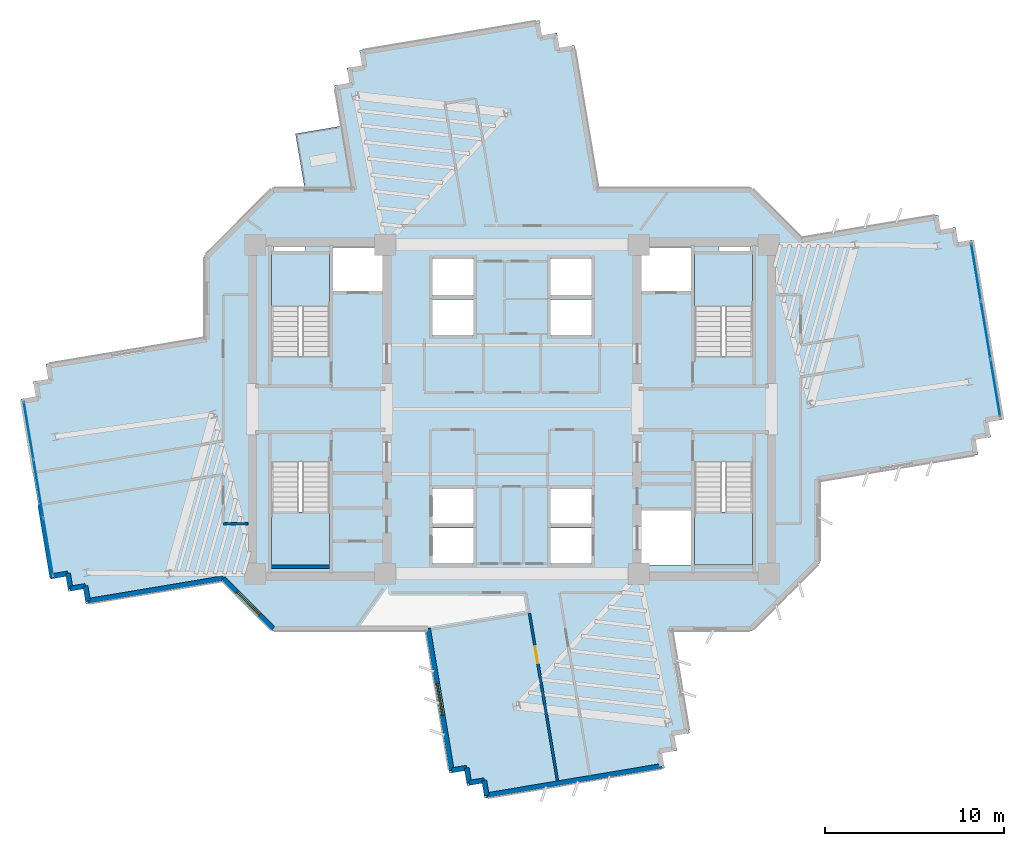
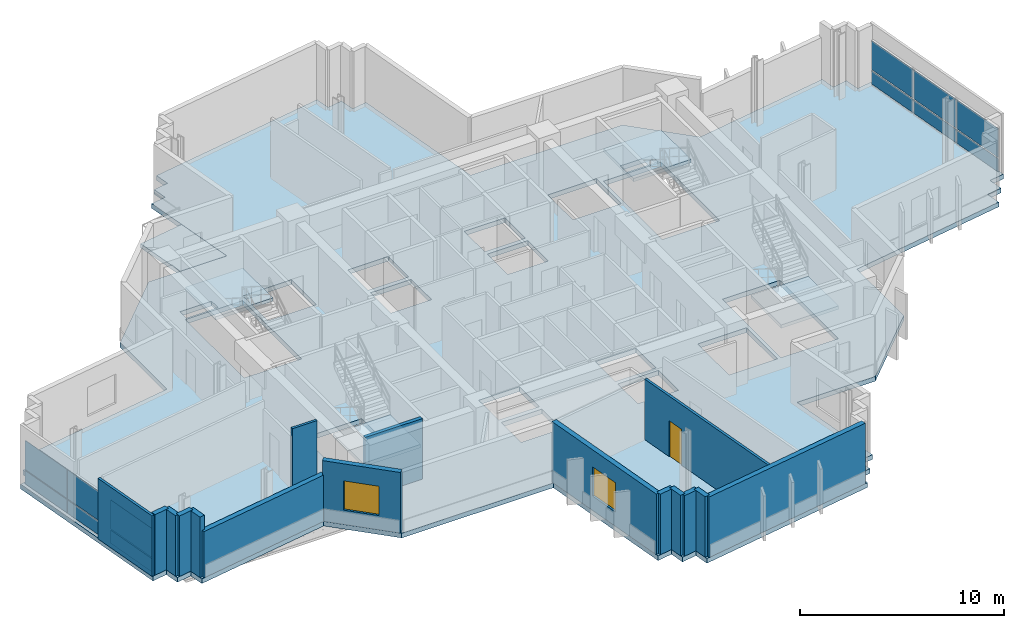
# One storey, part 6 of 15: 16 walls, 12 plates, 6 slabs, 2 windows, 1 door, 3 openings, 6 elements without a shape of their own.
"""IFC4 building model written with IfcOpenShell, lengths in metres."""

from ifc_helpers import new_model, si_unit, direction, frame, frame_2d, origin, origin_2d, place, context, subcontext, project, spatial, polyline, rectangle, outline, extrude, source, transform, mapped, material, layer, layer_set, type_object, element, fill, aggregate, save


model = new_model("IFC4")

# Units and contexts
model_context = context("Model", 3, precision=1e-05, world=origin(), true_north=direction((0.0, 1.0)))
body_context = subcontext(model_context, "Body", "Model", "MODEL_VIEW")
ifc_project = project(units=[si_unit("LENGTHUNIT", "METRE"), si_unit("AREAUNIT", "SQUARE_METRE"), si_unit("VOLUMEUNIT", "CUBIC_METRE"), si_unit("PLANEANGLEUNIT", "RADIAN"), si_unit("MASSUNIT", "GRAM", prefix="KILO")], contexts=[model_context])

# Site, building, storey
site_placement = place(None, origin())
site = spatial("IfcSite", under=ifc_project, at=site_placement, CompositionType="ELEMENT")
building_placement = place(site_placement, origin())
building = spatial("IfcBuilding", under=site, at=building_placement, Name="Zahravan Cultural Tower", CompositionType="ELEMENT")
storey_placement = place(building_placement, frame((0.0, 0.0, 143.39990234375)))
storey = spatial("IfcBuildingStorey", under=building, at=storey_placement, Name="L32", CompositionType="ELEMENT", Elevation=143.39990234375)

# Slab
ifc_material_1 = material(Name="Concrete C45/55", Category="concrete")
ifc_layer_1 = layer(ifc_material_1, 0.280029296875)
ifc_layer_set_1 = layer_set([ifc_layer_1], Name="Concrete C45/55")
slab_type_1 = type_object("IfcSlabType", Name="SL-LIB-280", PredefinedType="FLOOR", material=ifc_layer_set_1)
slab_1_placement = place(storey_placement, frame((0.0, 0.0, -0.27978515625)))
element("IfcSlab", 1, at=slab_1_placement, inside=storey, type_object=slab_type_1, Name="L32 Structural Floor Slab", PredefinedType="FLOOR", context=body_context, shape_type="SweptSolid", body=[
    extrude(outline(polyline([(52.1953125, 36.604736328125), (49.39990234375, 39.39990234375), (40.819580078125, 39.39990234375), (39.48828125, 47.35498046875), (38.64990234375, 47.214599609375), (38.509765625, 48.052978515625), (37.67138671875, 47.91259765625), (37.531005859375, 48.7509765625), (27.470947265625, 47.0673828125), (27.611083984375, 46.229248046875), (26.77294921875, 46.0888671875), (26.9130859375, 45.25048828125), (26.07470703125, 45.110107421875), (27.030517578125, 39.39990234375), (22.60009765625, 39.39990234375), (18.800048828125, 35.60009765625), (18.800048828125, 31.01611328125), (9.9248046875, 29.531005859375), (10.06494140625, 28.692626953125), (9.2265625, 28.552490234375), (9.366943359375, 27.714111328125), (8.528564453125, 27.57373046875), (10.2119140625, 17.513671875), (11.05029296875, 17.65380859375), (11.190673828125, 16.815673828125), (12.029052734375, 16.955810546875), (12.169189453125, 16.11767578125), (19.8046875, 17.395263671875), (22.60009765625, 14.60009765625), (31.180419921875, 14.60009765625), (32.51171875, 6.64501953125), (33.35009765625, 6.785400390625), (33.490234375, 5.947021484375), (34.32861328125, 6.08740234375), (34.468994140625, 5.2490234375), (44.529052734375, 6.9326171875), (44.388916015625, 7.770751953125), (45.22705078125, 7.9111328125), (45.0869140625, 8.74951171875), (45.92529296875, 8.889892578125), (44.969482421875, 14.60009765625), (49.39990234375, 14.60009765625), (53.199951171875, 18.39990234375), (53.199951171875, 22.98388671875), (62.0751953125, 24.468994140625), (61.93505859375, 25.307373046875), (62.7734375, 25.447509765625), (62.633056640625, 26.285888671875), (63.471435546875, 26.42626953125), (61.7880859375, 36.486328125), (60.94970703125, 36.34619140625), (60.809326171875, 37.184326171875), (59.970947265625, 37.044189453125), (59.830810546875, 37.88232421875), (52.1953125, 36.604736328125)]), holes=[polyline([(22.550048828125, 29.949951171875), (22.550048828125, 35.699951171875), (25.800048828125, 35.699951171875), (25.800048828125, 29.949951171875), (22.550048828125, 29.949951171875)]), polyline([(22.550048828125, 18.300048828125), (22.550048828125, 24.050048828125), (25.800048828125, 24.050048828125), (25.800048828125, 18.300048828125), (22.550048828125, 18.300048828125)]), polyline([(46.199951171875, 29.949951171875), (46.199951171875, 35.699951171875), (49.449951171875, 35.699951171875), (49.449951171875, 29.949951171875), (46.199951171875, 29.949951171875)]), polyline([(46.199951171875, 18.300048828125), (46.199951171875, 24.050048828125), (49.449951171875, 24.050048828125), (49.449951171875, 18.300048828125), (46.199951171875, 18.300048828125)]), polyline([(26.0, 33.60009765625), (26.0, 36.050048828125), (28.75, 36.050048828125), (28.75, 33.60009765625), (26.0, 33.60009765625)]), polyline([(43.25, 33.60009765625), (43.25, 36.050048828125), (46.0, 36.050048828125), (46.0, 33.60009765625), (43.25, 33.60009765625)]), polyline([(43.25, 18.300048828125), (43.25, 21.35009765625), (46.0, 21.35009765625), (46.0, 18.300048828125), (43.25, 18.300048828125)]), polyline([(31.550048828125, 33.39990234375), (31.550048828125, 35.39990234375), (33.85009765625, 35.39990234375), (33.85009765625, 33.39990234375), (31.550048828125, 33.39990234375)]), polyline([(31.550048828125, 31.14990234375), (31.550048828125, 33.14990234375), (33.85009765625, 33.14990234375), (33.85009765625, 31.14990234375), (31.550048828125, 31.14990234375)]), polyline([(38.14990234375, 33.39990234375), (38.14990234375, 35.39990234375), (40.449951171875, 35.39990234375), (40.449951171875, 33.39990234375), (38.14990234375, 33.39990234375)]), polyline([(38.14990234375, 31.14990234375), (38.14990234375, 33.14990234375), (40.449951171875, 33.14990234375), (40.449951171875, 31.14990234375), (38.14990234375, 31.14990234375)]), polyline([(31.550048828125, 20.60009765625), (31.550048828125, 22.550048828125), (33.85009765625, 22.550048828125), (33.85009765625, 20.60009765625), (31.550048828125, 20.60009765625)]), polyline([(31.550048828125, 18.39990234375), (31.550048828125, 20.35009765625), (33.85009765625, 20.35009765625), (33.85009765625, 18.39990234375), (31.550048828125, 18.39990234375)]), polyline([(38.14990234375, 20.60009765625), (38.14990234375, 22.550048828125), (40.449951171875, 22.550048828125), (40.449951171875, 20.60009765625), (38.14990234375, 20.60009765625)]), polyline([(38.14990234375, 18.39990234375), (38.14990234375, 20.35009765625), (40.449951171875, 20.35009765625), (40.449951171875, 18.39990234375), (38.14990234375, 18.39990234375)]), polyline([(22.64990234375, 35.800048828125), (22.64990234375, 36.419921875), (24.449951171875, 36.419921875), (24.449951171875, 35.800048828125), (22.64990234375, 35.800048828125)]), polyline([(47.550048828125, 35.800048828125), (47.550048828125, 36.419921875), (49.35009765625, 36.419921875), (49.35009765625, 35.800048828125), (47.550048828125, 35.800048828125)])]), origin(), (0.0, 0.0, 1.0), 0.27978515625),
])

# Stair, slab
stair_type = type_object("IfcStairType", Name="STR-DL-1550-390", PredefinedType="HALF_TURN_STAIR", material=ifc_material_1)
stair_1_placement = place(storey_placement, origin())
stair_1 = element("IfcStair", 2, at=stair_1_placement, inside=storey, type_object=stair_type, Name="L32 West Core North Exit Stair ST-W1", PredefinedType="HALF_TURN_STAIR")
ifc_layer_2 = layer(ifc_material_1, 0.199951171875)
ifc_layer_set_2 = layer_set([ifc_layer_2], Name="Concrete C45/55")
slab_type_2 = type_object("IfcSlabType", Name="SL-STAIR-LND200", PredefinedType="LANDING", material=ifc_layer_set_2)
slab_2_placement = place(storey_placement, frame((0.0, 0.0, 1.75)))
slab_2 = element("IfcSlab", 3, at=slab_2_placement, type_object=slab_type_2, Name="ST-W1 landing 1", PredefinedType="LANDING", context=body_context, shape_type="SweptSolid", body=[
    extrude(outline(polyline([(25.800048828125, 32.75), (25.800048828125, 35.699951171875), (22.550048828125, 35.699951171875), (22.550048828125, 32.75), (25.800048828125, 32.75)])), origin(), (0.0, 0.0, 1.0), 0.2001953125),
])
aggregate(stair_1, [slab_2])

stair_2_placement = place(storey_placement, origin())
stair_2 = element("IfcStair", 4, at=stair_2_placement, inside=storey, type_object=stair_type, Name="L32 West Core South Exit Stair ST-W2", PredefinedType="HALF_TURN_STAIR")
slab_3_placement = place(storey_placement, frame((0.0, 0.0, 1.75)))
slab_3 = element("IfcSlab", 5, at=slab_3_placement, type_object=slab_type_2, Name="ST-W2 landing 1", PredefinedType="LANDING", context=body_context, shape_type="SweptSolid", body=[
    extrude(outline(polyline([(22.550048828125, 21.25), (22.550048828125, 18.300048828125), (25.800048828125, 18.300048828125), (25.800048828125, 21.25), (22.550048828125, 21.25)])), origin(), (0.0, 0.0, 1.0), 0.2001953125),
])
aggregate(stair_2, [slab_3])

stair_3_placement = place(storey_placement, origin())
stair_3 = element("IfcStair", 6, at=stair_3_placement, inside=storey, type_object=stair_type, Name="L32 East Core North Exit Stair ST-E1", PredefinedType="HALF_TURN_STAIR")
slab_4_placement = place(storey_placement, frame((0.0, 0.0, 1.75)))
slab_4 = element("IfcSlab", 7, at=slab_4_placement, type_object=slab_type_2, Name="ST-E1 landing 1", PredefinedType="LANDING", context=body_context, shape_type="SweptSolid", body=[
    extrude(outline(polyline([(49.449951171875, 32.75), (49.449951171875, 35.699951171875), (46.199951171875, 35.699951171875), (46.199951171875, 32.75), (49.449951171875, 32.75)])), origin(), (0.0, 0.0, 1.0), 0.2001953125),
])
aggregate(stair_3, [slab_4])

stair_4_placement = place(storey_placement, origin())
stair_4 = element("IfcStair", 8, at=stair_4_placement, inside=storey, type_object=stair_type, Name="L32 East Core South Exit Stair ST-E2", PredefinedType="HALF_TURN_STAIR")
slab_5_placement = place(storey_placement, frame((0.0, 0.0, 1.75)))
slab_5 = element("IfcSlab", 9, at=slab_5_placement, type_object=slab_type_2, Name="ST-E2 landing 1", PredefinedType="LANDING", context=body_context, shape_type="SweptSolid", body=[
    extrude(outline(polyline([(46.199951171875, 21.25), (46.199951171875, 18.300048828125), (49.449951171875, 18.300048828125), (49.449951171875, 21.25), (46.199951171875, 21.25)])), origin(), (0.0, 0.0, 1.0), 0.2001953125),
])
aggregate(stair_4, [slab_5])

# Slab
ifc_material_2 = material(Name="Concrete C40/50", Category="concrete")
ifc_layer_3 = layer(ifc_material_2, 0.239990234375)
ifc_layer_set_3 = layer_set([ifc_layer_3], Name="Concrete C40/50")
slab_type_3 = type_object("IfcSlabType", Name="SL-TERR-240", PredefinedType="FLOOR", material=ifc_layer_set_3)
slab_6_placement = place(storey_placement, frame((0.0, 0.0, -0.239990234375)))
element("IfcSlab", 10, at=slab_6_placement, inside=storey, type_object=slab_type_3, Name="L32 Planted Sculpture Terrace NW", PredefinedType="FLOOR", context=body_context, shape_type="SweptSolid", body=[
    extrude(outline(polyline([(23.89013671875, 42.41259765625), (24.393310546875, 39.405029296875), (27.0244140625, 39.405029296875), (26.449462890625, 42.841064453125), (23.89013671875, 42.41259765625)])), origin(), (0.0, 0.0, 1.0), 0.239990234375),
])

# Curtain wall, plates
ifc_material_3 = material(Name="Anodised bronze-aluminium mullion", Category="aluminium")
ifc_layer_4 = layer(ifc_material_3, 0.199951171875)
ifc_layer_set_4 = layer_set([ifc_layer_4], Name="Anodised bronze-aluminium mullion")
curtain_wall_type_1 = type_object("IfcCurtainWallType", Name="CW-SYS-2", PredefinedType="USERDEFINED", material=ifc_layer_set_4)
curtain_wall_1_placement = place(storey_placement, origin())
curtain_wall_1 = element("IfcCurtainWall", 11, at=curtain_wall_1_placement, inside=storey, type_object=curtain_wall_type_1, Name="L32 Recessed Curtain Wall CW-2.1", ObjectType="RECESSED GLAZING", PredefinedType="USERDEFINED")
ifc_material_4 = material(Name="Low-E solar-control double glazing", Category="glass")
ifc_layer_5 = layer(ifc_material_4, 0.030029296875)
ifc_layer_set_5 = layer_set([ifc_layer_5], Name="Low-E solar-control double glazing")
plate_type_1 = type_object("IfcPlateType", Name="CWP-CW-2", PredefinedType="CURTAIN_PANEL", material=ifc_layer_set_5)
shared_shape_1 = source(origin(), body_context, "Body", "SweptSolid", [
    extrude(rectangle(XDim=3.194091796875, YDim=0.030029296875, at=origin_2d()), origin(), (0.0, 0.0, 1.0), 0.78759765625),
])
plate_1_placement = place(storey_placement, frame((61.948974609375, 34.676025390625, 0.074951171875), z_axis=(0.0, 0.0, 1.0), x_axis=(0.165051199491, -0.986285000163, 0.0)))
plate_1 = element("IfcPlate", 12, at=plate_1_placement, type_object=plate_type_1, Name="CW-2 panel 1.1", PredefinedType="CURTAIN_PANEL", context=body_context, shape_type="MappedRepresentation", body=[
    mapped(shared_shape_1, transform((0.0, 0.0, 0.0), x_axis=(1.0, 0.0, 0.0), y_axis=(0.0, 1.0, 0.0), z_axis=(0.0, 0.0, 1.0), scale=1.0)),
])
plate_2_placement = place(storey_placement, frame((63.034423828125, 28.1904296875, 0.074951171875), z_axis=(0.0, 0.0, 1.0), x_axis=(0.165051199491, -0.986285000163, 0.0)))
plate_2 = element("IfcPlate", 13, at=plate_2_placement, type_object=plate_type_1, Name="CW-2 panel 3.1", PredefinedType="CURTAIN_PANEL", context=body_context, shape_type="MappedRepresentation", body=[
    mapped(shared_shape_1, transform((0.0, 0.0, 0.0), x_axis=(1.0, 0.0, 0.0), y_axis=(0.0, 1.0, 0.0), z_axis=(0.0, 0.0, 1.0), scale=1.0)),
])
shared_shape_2 = source(origin(), body_context, "Body", "SweptSolid", [
    extrude(rectangle(XDim=3.231689453125, YDim=0.030029296875, at=origin_2d()), origin(), (0.0, 0.0, 1.0), 0.78759765625),
])
plate_3_placement = place(storey_placement, frame((62.49169921875, 31.43310546875, 0.074951171875), z_axis=(0.0, 0.0, 1.0), x_axis=(0.165051199491, -0.986285000163, 0.0)))
plate_3 = element("IfcPlate", 14, at=plate_3_placement, type_object=plate_type_1, Name="CW-2 panel 2.1", PredefinedType="CURTAIN_PANEL", context=body_context, shape_type="MappedRepresentation", body=[
    mapped(shared_shape_2, transform((0.0, 0.0, 0.0), x_axis=(1.0, 0.0, 0.0), y_axis=(0.0, 1.0, 0.0), z_axis=(0.0, 0.0, 1.0), scale=1.0)),
])
shared_shape_3 = source(origin(), body_context, "Body", "SweptSolid", [
    extrude(rectangle(XDim=3.194091796875, YDim=0.030029296875, at=origin_2d()), origin(), (0.0, 0.0, 1.0), 1.7275390625),
])
plate_4_placement = place(storey_placement, frame((61.948974609375, 34.676025390625, 0.9375), z_axis=(0.0, 0.0, 1.0), x_axis=(0.165051199491, -0.986285000163, 0.0)))
plate_4 = element("IfcPlate", 15, at=plate_4_placement, type_object=plate_type_1, Name="CW-2 panel 1.2", PredefinedType="CURTAIN_PANEL", context=body_context, shape_type="MappedRepresentation", body=[
    mapped(shared_shape_3, transform((0.0, 0.0, 0.0), x_axis=(1.0, 0.0, 0.0), y_axis=(0.0, 1.0, 0.0), z_axis=(0.0, 0.0, 1.0), scale=1.0)),
])
plate_5_placement = place(storey_placement, frame((63.034423828125, 28.1904296875, 0.9375), z_axis=(0.0, 0.0, 1.0), x_axis=(0.165051199491, -0.986285000163, 0.0)))
plate_5 = element("IfcPlate", 16, at=plate_5_placement, type_object=plate_type_1, Name="CW-2 panel 3.2", PredefinedType="CURTAIN_PANEL", context=body_context, shape_type="MappedRepresentation", body=[
    mapped(shared_shape_3, transform((0.0, 0.0, 0.0), x_axis=(1.0, 0.0, 0.0), y_axis=(0.0, 1.0, 0.0), z_axis=(0.0, 0.0, 1.0), scale=1.0)),
])
shared_shape_4 = source(origin(), body_context, "Body", "SweptSolid", [
    extrude(rectangle(XDim=3.231689453125, YDim=0.030029296875, at=origin_2d()), origin(), (0.0, 0.0, 1.0), 1.7275390625),
])
plate_6_placement = place(storey_placement, frame((62.49169921875, 31.43310546875, 0.9375), z_axis=(0.0, 0.0, 1.0), x_axis=(0.165051199491, -0.986285000163, 0.0)))
plate_6 = element("IfcPlate", 17, at=plate_6_placement, type_object=plate_type_1, Name="CW-2 panel 2.2", PredefinedType="CURTAIN_PANEL", context=body_context, shape_type="MappedRepresentation", body=[
    mapped(shared_shape_4, transform((0.0, 0.0, 0.0), x_axis=(1.0, 0.0, 0.0), y_axis=(0.0, 1.0, 0.0), z_axis=(0.0, 0.0, 1.0), scale=1.0)),
])
aggregate(curtain_wall_1, [plate_1, plate_4, plate_3, plate_6, plate_2, plate_5])

ifc_layer_6 = layer(ifc_material_3, 0.179931640625)
ifc_layer_set_6 = layer_set([ifc_layer_6], Name="Anodised bronze-aluminium mullion")
curtain_wall_type_2 = type_object("IfcCurtainWallType", Name="CW-SYS-3", PredefinedType="USERDEFINED", material=ifc_layer_set_6)
curtain_wall_2_placement = place(storey_placement, origin())
curtain_wall_2 = element("IfcCurtainWall", 18, at=curtain_wall_2_placement, inside=storey, type_object=curtain_wall_type_2, Name="L32 Recessed Curtain Wall CW-3.2", ObjectType="RECESSED GLAZING", PredefinedType="USERDEFINED")
ifc_layer_7 = layer(ifc_material_4, 0.028076171875)
ifc_layer_set_7 = layer_set([ifc_layer_7], Name="Low-E solar-control double glazing")
plate_type_2 = type_object("IfcPlateType", Name="CWP-CW-3", PredefinedType="CURTAIN_PANEL", material=ifc_layer_set_7)
shared_shape_5 = source(origin(), body_context, "Body", "SweptSolid", [
    extrude(rectangle(XDim=3.20166015625, YDim=0.028076171875, at=origin_2d()), origin(), (0.0, 0.0, 1.0), 0.794921875),
])
plate_7_placement = place(storey_placement, frame((10.05126953125, 19.32275390625, 0.070068359375), z_axis=(0.0, 0.0, 1.0), x_axis=(-0.165051199491, 0.986285000163, 0.0)))
plate_7 = element("IfcPlate", 19, at=plate_7_placement, type_object=plate_type_2, Name="CW-3 panel 1.1", PredefinedType="CURTAIN_PANEL", context=body_context, shape_type="MappedRepresentation", body=[
    mapped(shared_shape_5, transform((0.0, 0.0, 0.0), x_axis=(1.0, 0.0, 0.0), y_axis=(0.0, 1.0, 0.0), z_axis=(0.0, 0.0, 1.0), scale=1.0)),
])
plate_8_placement = place(storey_placement, frame((8.965576171875, 25.810791015625, 0.070068359375), z_axis=(0.0, 0.0, 1.0), x_axis=(-0.165051199491, 0.986285000163, 0.0)))
plate_8 = element("IfcPlate", 20, at=plate_8_placement, type_object=plate_type_2, Name="CW-3 panel 3.1", PredefinedType="CURTAIN_PANEL", context=body_context, shape_type="MappedRepresentation", body=[
    mapped(shared_shape_5, transform((0.0, 0.0, 0.0), x_axis=(1.0, 0.0, 0.0), y_axis=(0.0, 1.0, 0.0), z_axis=(0.0, 0.0, 1.0), scale=1.0)),
])
shared_shape_6 = source(origin(), body_context, "Body", "SweptSolid", [
    extrude(rectangle(XDim=3.20166015625, YDim=0.028076171875, at=origin_2d()), origin(), (0.0, 0.0, 1.0), 1.735107421875),
])
plate_9_placement = place(storey_placement, frame((10.05126953125, 19.32275390625, 0.93505859375), z_axis=(0.0, 0.0, 1.0), x_axis=(-0.165051199491, 0.986285000163, 0.0)))
plate_9 = element("IfcPlate", 21, at=plate_9_placement, type_object=plate_type_2, Name="CW-3 panel 1.2", PredefinedType="CURTAIN_PANEL", context=body_context, shape_type="MappedRepresentation", body=[
    mapped(shared_shape_6, transform((0.0, 0.0, 0.0), x_axis=(1.0, 0.0, 0.0), y_axis=(0.0, 1.0, 0.0), z_axis=(0.0, 0.0, 1.0), scale=1.0)),
])
plate_10_placement = place(storey_placement, frame((8.965576171875, 25.810791015625, 0.93505859375), z_axis=(0.0, 0.0, 1.0), x_axis=(-0.165051199491, 0.986285000163, 0.0)))
plate_10 = element("IfcPlate", 22, at=plate_10_placement, type_object=plate_type_2, Name="CW-3 panel 3.2", PredefinedType="CURTAIN_PANEL", context=body_context, shape_type="MappedRepresentation", body=[
    mapped(shared_shape_6, transform((0.0, 0.0, 0.0), x_axis=(1.0, 0.0, 0.0), y_axis=(0.0, 1.0, 0.0), z_axis=(0.0, 0.0, 1.0), scale=1.0)),
])
shared_shape_7 = source(origin(), body_context, "Body", "SweptSolid", [
    extrude(rectangle(XDim=3.236572265625, YDim=0.028076171875, at=origin_2d()), origin(), (0.0, 0.0, 1.0), 0.794921875),
])
plate_11_placement = place(storey_placement, frame((9.50830078125, 22.56689453125, 0.070068359375), z_axis=(0.0, 0.0, 1.0), x_axis=(-0.165051199491, 0.986285000163, 0.0)))
plate_11 = element("IfcPlate", 23, at=plate_11_placement, type_object=plate_type_2, Name="CW-3 panel 2.1", PredefinedType="CURTAIN_PANEL", context=body_context, shape_type="MappedRepresentation", body=[
    mapped(shared_shape_7, transform((0.0, 0.0, 0.0), x_axis=(1.0, 0.0, 0.0), y_axis=(0.0, 1.0, 0.0), z_axis=(0.0, 0.0, 1.0), scale=1.0)),
])
shared_shape_8 = source(origin(), body_context, "Body", "SweptSolid", [
    extrude(rectangle(XDim=3.236572265625, YDim=0.028076171875, at=origin_2d()), origin(), (0.0, 0.0, 1.0), 1.735107421875),
])
plate_12_placement = place(storey_placement, frame((9.50830078125, 22.56689453125, 0.93505859375), z_axis=(0.0, 0.0, 1.0), x_axis=(-0.165051199491, 0.986285000163, 0.0)))
plate_12 = element("IfcPlate", 24, at=plate_12_placement, type_object=plate_type_2, Name="CW-3 panel 2.2", PredefinedType="CURTAIN_PANEL", context=body_context, shape_type="MappedRepresentation", body=[
    mapped(shared_shape_8, transform((0.0, 0.0, 0.0), x_axis=(1.0, 0.0, 0.0), y_axis=(0.0, 1.0, 0.0), z_axis=(0.0, 0.0, 1.0), scale=1.0)),
])
aggregate(curtain_wall_2, [plate_7, plate_9, plate_11, plate_12, plate_8, plate_10])

# Wall, opening, window
ifc_material_5 = material(Name="Precast concrete C40/50", Category="concrete")
ifc_layer_8 = layer(ifc_material_5, 0.280029296875)
ifc_layer_set_8 = layer_set([ifc_layer_8], Name="Precast concrete C40/50")
wall_type_1 = type_object("IfcWallType", Name="EW-TC-280", PredefinedType="SOLIDWALL", material=ifc_layer_set_8)
wall_1_placement = place(storey_placement, frame((32.626708984375, 6.806396484375, 0.0), z_axis=(0.0, 0.0, 1.0), x_axis=(-0.165048626668, 0.986285430712, 0.0)))
wall_1 = element("IfcWall", 25, at=wall_1_placement, inside=storey, type_object=wall_type_1, Name="L32 Exterior Masonry Frame Wall 24", PredefinedType="SOLIDWALL", context=body_context, shape_type="SweptSolid", body=[
    extrude(rectangle(XDim=8.0439453125, YDim=0.280029296875, at=frame_2d((4.02197265625, 0.0))), origin(), (0.0, 0.0, 1.0), 3.6201171875),
])
opening_1_placement = place(wall_1_placement, frame((3.1220703125, 0.0, 0.85009765625)))
opening_1 = element("IfcOpeningElement", 26, at=opening_1_placement, cuts=wall_1, Name="Opening WN-02", PredefinedType="OPENING", context=body_context, shape_type="SweptSolid", body=[
    extrude(rectangle(XDim=1.800048828125, YDim=1.75, at=frame_2d((0.89990234375, 0.875))), frame((0.0, 0.14990234375, 0.0), z_axis=(0.0, -1.0, 0.0), x_axis=(1.0, 0.0, 0.0)), (0.0, 0.0, 1.0), 0.300048828125),
])
window_type = type_object("IfcWindowType", Name="WN-REC-1800X1750", PartitioningType="DOUBLE_PANEL_VERTICAL", PredefinedType="WINDOW", material=ifc_material_4)
shared_shape_9 = source(origin(), body_context, "Body", "SweptSolid", [
    extrude(rectangle(XDim=1.800048828125, YDim=1.75, at=frame_2d((0.89990234375, 0.875))), frame((0.0, 0.030029296875, 0.0), z_axis=(0.0, -1.0, 0.0), x_axis=(1.0, 0.0, 0.0)), (0.0, 0.0, 1.0), 0.06005859375),
])
window_1_placement = place(opening_1_placement, origin())
window_1 = element("IfcWindow", 27, at=window_1_placement, inside=storey, type_object=window_type, Name="L32 Recessed Solar Window 05", OverallHeight=1.75, OverallWidth=1.800048828125, PartitioningType="DOUBLE_PANEL_VERTICAL", PredefinedType="WINDOW", context=body_context, shape_type="MappedRepresentation", body=[
    mapped(shared_shape_9, transform((0.0, 0.0, 0.0), x_axis=(1.0, 0.0, 0.0), y_axis=(0.0, 1.0, 0.0), z_axis=(0.0, 0.0, 1.0), scale=1.0)),
])
fill(opening_1, window_1)

wall_2_placement = place(storey_placement, frame((22.657958984375, 14.739990234375, 0.0), z_axis=(0.0, 0.0, 1.0), x_axis=(-0.707076011326, 0.707137549708, 0.0)))
wall_2 = element("IfcWall", 28, at=wall_2_placement, inside=storey, type_object=wall_type_1, Name="L32 Exterior Masonry Frame Wall 26", PredefinedType="SOLIDWALL", context=body_context, shape_type="SweptSolid", body=[
    extrude(rectangle(XDim=3.96728515625, YDim=0.280029296875, at=frame_2d((1.983642578125, 0.0))), origin(), (0.0, 0.0, 1.0), 3.6201171875),
])
opening_2_placement = place(wall_2_placement, frame((1.083984375, 0.0, 0.85009765625)))
opening_2 = element("IfcOpeningElement", 29, at=opening_2_placement, cuts=wall_2, Name="Opening WN-02", PredefinedType="OPENING", context=body_context, shape_type="SweptSolid", body=[
    extrude(rectangle(XDim=1.800048828125, YDim=1.75, at=frame_2d((0.89990234375, 0.875))), frame((0.0, 0.14990234375, 0.0), z_axis=(0.0, -1.0, 0.0), x_axis=(1.0, 0.0, 0.0)), (0.0, 0.0, 1.0), 0.300048828125),
])
window_2_placement = place(opening_2_placement, origin())
window_2 = element("IfcWindow", 30, at=window_2_placement, inside=storey, type_object=window_type, Name="L32 Recessed Solar Window 06", OverallHeight=1.75, OverallWidth=1.800048828125, PartitioningType="DOUBLE_PANEL_VERTICAL", PredefinedType="WINDOW", context=body_context, shape_type="MappedRepresentation", body=[
    mapped(shared_shape_9, transform((0.0, 0.0, 0.0), x_axis=(1.0, 0.0, 0.0), y_axis=(0.0, 1.0, 0.0), z_axis=(0.0, 0.0, 1.0), scale=1.0)),
])
fill(opening_2, window_2)

# Wall, opening, door
ifc_material_6 = material(Name="Gypsum plasterboard partition")
ifc_layer_9 = layer(ifc_material_6, 0.139892578125)
ifc_layer_set_9 = layer_set([ifc_layer_9], Name="Gypsum plasterboard partition")
wall_type_2 = type_object("IfcWallType", Name="W-PART-140", PredefinedType="PARTITIONING", material=ifc_layer_set_9)
wall_3_placement = place(storey_placement, frame((36.9775390625, 15.584716796875, 0.0), z_axis=(0.0, 0.0, 1.0), x_axis=(0.165024399413, -0.986289484684, 0.0)))
wall_3 = element("IfcWall", 31, at=wall_3_placement, inside=storey, type_object=wall_type_2, Name="L32 Interior Wall 092", PredefinedType="PARTITIONING", context=body_context, shape_type="SweptSolid", body=[
    extrude(rectangle(XDim=9.494873046875, YDim=0.139892578125, at=frame_2d((4.74755859375, 0.0))), origin(), (0.0, 0.0, 1.0), 3.6201171875),
])
opening_3_placement = place(wall_3_placement, frame((1.8798828125, 0.0, 0.0)))
opening_3 = element("IfcOpeningElement", 32, at=opening_3_placement, cuts=wall_3, Name="Opening D-L32-28", PredefinedType="OPENING", context=body_context, shape_type="SweptSolid", body=[
    extrude(rectangle(XDim=0.949951171875, YDim=2.14990234375, at=frame_2d((0.47509765625, 1.074951171875))), frame((0.0, 0.079833984375, 0.0), z_axis=(0.0, -1.0, 0.0), x_axis=(1.0, 0.0, 0.0)), (0.0, 0.0, 1.0), 0.159912109375),
])
door_type = type_object("IfcDoorType", Name="DR-ROOM-950", OperationType="NOTDEFINED", PredefinedType="DOOR", material=ifc_material_3)
shared_shape_10 = source(origin(), body_context, "Body", "SweptSolid", [
    extrude(rectangle(XDim=0.949951171875, YDim=2.14990234375, at=frame_2d((0.47509765625, 1.074951171875))), frame((0.0, 0.02490234375, 0.0), z_axis=(0.0, -1.0, 0.0), x_axis=(1.0, 0.0, 0.0)), (0.0, 0.0, 1.0), 0.050048828125),
])
door_placement = place(opening_3_placement, origin())
door = element("IfcDoor", 33, at=door_placement, inside=storey, type_object=door_type, Name="L32 Door D-L32-28", OperationType="SINGLE_SWING_LEFT", OverallHeight=2.14990234375, OverallWidth=0.949951171875, PredefinedType="DOOR", context=body_context, shape_type="MappedRepresentation", body=[
    mapped(shared_shape_10, transform((0.0, 0.0, 0.0), x_axis=(1.0, 0.0, 0.0), y_axis=(0.0, 1.0, 0.0), z_axis=(0.0, 0.0, 1.0), scale=1.0)),
])
fill(opening_3, door)

# Walls
shared_shape_11 = source(origin(), body_context, "Body", "SweptSolid", [
    extrude(rectangle(XDim=0.85009765625, YDim=0.280029296875, at=frame_2d((0.425048828125, 0.0))), origin(), (0.0, 0.0, 1.0), 3.6201171875),
])
for number, where, z_axis, x_axis, name in (
    (34, (34.583984375, 5.41015625, 0.0), (0.0, 0.0, 1.0), (-0.16514412658, 0.986269444653, 0.0), "L32 Exterior Masonry Frame Wall 20"),
    (35, (34.443603515625, 6.24853515625, 0.0), (0.0, 0.0, 1.0), (-0.986316186628, -0.164864732418, 0.0), "L32 Exterior Masonry Frame Wall 21"),
    (36, (33.465087890625, 6.946533203125, 0.0), (0.0, 0.0, 1.0), (-0.986316186628, -0.164864732418, 0.0), "L32 Exterior Masonry Frame Wall 23"),
    (37, (12.2841796875, 16.27880859375, 0.0), (0.0, 0.0, 1.0), (-0.164864732418, 0.986316186628, 0.0), "L32 Exterior Masonry Frame Wall 28"),
    (38, (12.14404296875, 17.1171875, 0.0), (0.0, 0.0, 1.0), (-0.986269444653, -0.16514412658, 0.0), "L32 Exterior Masonry Frame Wall 29"),
    (39, (11.3056640625, 16.976806640625, 0.0), (0.0, 0.0, 1.0), (-0.16514412658, 0.986269444653, 0.0), "L32 Exterior Masonry Frame Wall 30"),
    (40, (11.165283203125, 17.815185546875, 0.0), (0.0, 0.0, 1.0), (-0.986269444653, -0.16514412658, 0.0), "L32 Exterior Masonry Frame Wall 31"),
):
    element("IfcWall", number, at=place(storey_placement, frame(where, z_axis=z_axis, x_axis=x_axis)), inside=storey, type_object=wall_type_1, Name=name, PredefinedType="SOLIDWALL", context=body_context, shape_type="MappedRepresentation", body=[
        mapped(shared_shape_11, transform((0.0, 0.0, 0.0), x_axis=(1.0, 0.0, 0.0), y_axis=(0.0, 1.0, 0.0), z_axis=(0.0, 0.0, 1.0), scale=1.0)),
    ])
shared_shape_12 = source(origin(), body_context, "Body", "SweptSolid", [
    extrude(rectangle(XDim=0.849853515625, YDim=0.280029296875, at=frame_2d((0.4248046875, 0.0))), origin(), (0.0, 0.0, 1.0), 3.6201171875),
])
wall_4_placement = place(storey_placement, frame((33.605224609375, 6.1083984375, 0.0), z_axis=(0.0, 0.0, 1.0), x_axis=(-0.164911450083, 0.986308376539, 0.0)))
element("IfcWall", 41, at=wall_4_placement, inside=storey, type_object=wall_type_1, Name="L32 Exterior Masonry Frame Wall 22", PredefinedType="SOLIDWALL", context=body_context, shape_type="MappedRepresentation", body=[
    mapped(shared_shape_12, transform((0.0, 0.0, 0.0), x_axis=(1.0, 0.0, 0.0), y_axis=(0.0, 1.0, 0.0), z_axis=(0.0, 0.0, 1.0), scale=1.0)),
])
shared_shape_13 = source(origin(), body_context, "Body", "SweptSolid", [
    extrude(rectangle(XDim=9.919921875, YDim=0.280029296875, at=frame_2d((4.9599609375, 0.0))), origin(), (0.0, 0.0, 1.0), 3.6201171875),
])
wall_5_placement = place(storey_placement, frame((44.367919921875, 7.047607421875, 0.0), z_axis=(0.0, 0.0, 1.0), x_axis=(-0.986282616944, -0.165065440096, 0.0)))
element("IfcWall", 42, at=wall_5_placement, inside=storey, type_object=wall_type_1, Name="L32 Exterior Masonry Frame Wall 19", PredefinedType="SOLIDWALL", context=body_context, shape_type="MappedRepresentation", body=[
    mapped(shared_shape_13, transform((0.0, 0.0, 0.0), x_axis=(1.0, 0.0, 0.0), y_axis=(0.0, 1.0, 0.0), z_axis=(0.0, 0.0, 1.0), scale=1.0)),
])
shared_shape_14 = source(origin(), body_context, "Body", "SweptSolid", [
    extrude(rectangle(XDim=7.673828125, YDim=0.280029296875, at=frame_2d((3.8369140625, 0.0))), origin(), (0.0, 0.0, 1.0), 2.76611328125),
])
wall_6_placement = place(storey_placement, frame((19.852783203125, 17.54541015625, 0.0), z_axis=(0.0, 0.0, 1.0), x_axis=(-0.986284504747, -0.165054159886, 0.0)))
element("IfcWall", 43, at=wall_6_placement, inside=storey, type_object=wall_type_1, Name="L32 Exterior Masonry Frame Wall 27", PredefinedType="SOLIDWALL", context=body_context, shape_type="MappedRepresentation", body=[
    mapped(shared_shape_14, transform((0.0, 0.0, 0.0), x_axis=(1.0, 0.0, 0.0), y_axis=(0.0, 1.0, 0.0), z_axis=(0.0, 0.0, 1.0), scale=1.0)),
])
ifc_layer_10 = layer(ifc_material_1, 0.199951171875)
ifc_layer_set_10 = layer_set([ifc_layer_10], Name="Concrete C45/55")
wall_type_3 = type_object("IfcWallType", Name="W-SHAFT-200", PredefinedType="SOLIDWALL", material=ifc_layer_set_10)
shared_shape_15 = source(origin(), body_context, "Body", "SweptSolid", [
    extrude(rectangle(XDim=3.25, YDim=0.199951171875, at=frame_2d((1.625, 0.0))), origin(), (0.0, 0.0, 1.0), 3.6201171875),
])
wall_7_placement = place(storey_placement, frame((22.550048828125, 18.199951171875, 0.0), z_axis=(0.0, 0.0, 1.0), x_axis=(1.0, 0.0, 0.0)))
element("IfcWall", 44, at=wall_7_placement, inside=storey, type_object=wall_type_3, Name="L32 Interior Wall 019", PredefinedType="SOLIDWALL", context=body_context, shape_type="MappedRepresentation", body=[
    mapped(shared_shape_15, transform((0.0, 0.0, 0.0), x_axis=(1.0, 0.0, 0.0), y_axis=(0.0, 1.0, 0.0), z_axis=(0.0, 0.0, 1.0), scale=1.0)),
])
shared_shape_16 = source(origin(), body_context, "Body", "SweptSolid", [
    extrude(rectangle(XDim=4.16015625, YDim=0.139892578125, at=frame_2d((2.080078125, 0.0))), origin(), (0.0, 0.0, 1.0), 3.6201171875),
])
wall_8_placement = place(storey_placement, frame((10.228515625, 17.53662109375, 0.0), z_axis=(0.0, 0.0, 1.0), x_axis=(-0.165084148129, 0.986279485763, 0.0)))
element("IfcWall", 45, at=wall_8_placement, inside=storey, type_object=wall_type_2, Name="L32 Interior Wall 101", PredefinedType="PARTITIONING", context=body_context, shape_type="MappedRepresentation", body=[
    mapped(shared_shape_16, transform((0.0, 0.0, 0.0), x_axis=(1.0, 0.0, 0.0), y_axis=(0.0, 1.0, 0.0), z_axis=(0.0, 0.0, 1.0), scale=1.0)),
])
shared_shape_17 = source(origin(), body_context, "Body", "SweptSolid", [
    extrude(rectangle(XDim=1.39404296875, YDim=0.139892578125, at=frame_2d((0.697021484375, 0.0))), origin(), (0.0, 0.0, 1.0), 3.6201171875),
])
wall_9_placement = place(storey_placement, frame((19.85107421875, 20.60107421875, 0.0), z_axis=(0.0, 0.0, 1.0), x_axis=(0.999999754632, -0.000700525222, 0.0)))
element("IfcWall", 46, at=wall_9_placement, inside=storey, type_object=wall_type_2, Name="L32 Interior Wall 104", PredefinedType="PARTITIONING", context=body_context, shape_type="MappedRepresentation", body=[
    mapped(shared_shape_17, transform((0.0, 0.0, 0.0), x_axis=(1.0, 0.0, 0.0), y_axis=(0.0, 1.0, 0.0), z_axis=(0.0, 0.0, 1.0), scale=1.0)),
])

save(model, "model.ifc")
